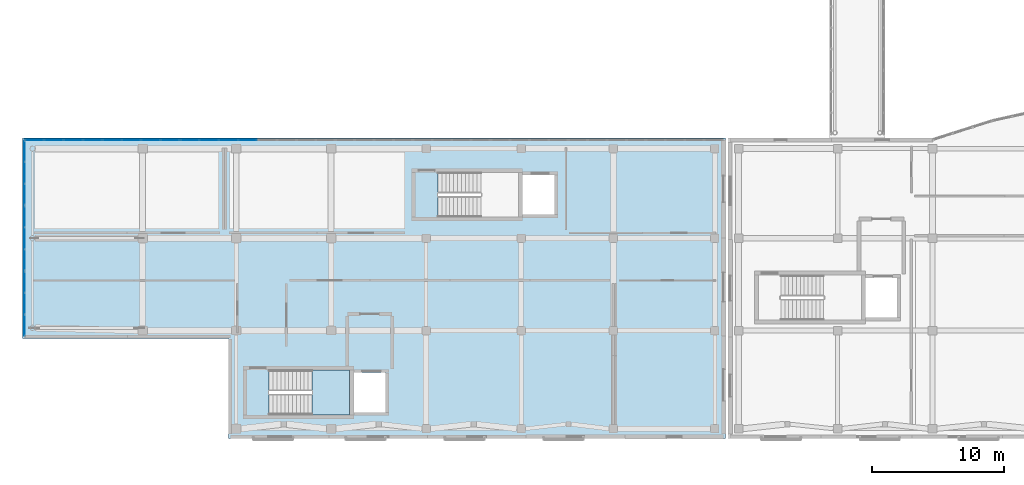
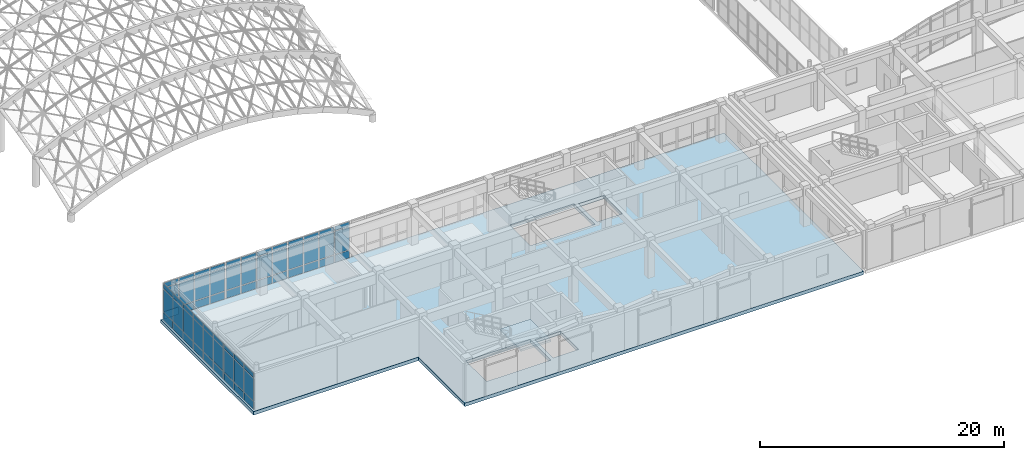
# One storey, part 111 of 146: 63 plates, 2 slabs, 7 elements without a shape of their own.
"""IFC4 building model written with IfcOpenShell, lengths in metres."""

from ifc_helpers import new_model, si_unit, direction, frame, origin, origin_2d, place, context, subcontext, project, spatial, polyline, rectangle, outline, extrude, material, layer, layer_set, type_object, element, aggregate, save


model = new_model("IFC4")

# Units and contexts
model_context = context("Model", 3, precision=1e-05, world=origin(), true_north=direction((0.0, 1.0)))
body_context = subcontext(model_context, "Body", "Model", "MODEL_VIEW")
ifc_project = project(units=[si_unit("LENGTHUNIT", "METRE"), si_unit("AREAUNIT", "SQUARE_METRE"), si_unit("VOLUMEUNIT", "CUBIC_METRE"), si_unit("PLANEANGLEUNIT", "RADIAN"), si_unit("MASSUNIT", "GRAM", prefix="KILO")], contexts=[model_context])

# Site, building, storey
site_placement = place(None, origin())
site = spatial("IfcSite", under=ifc_project, at=site_placement, CompositionType="ELEMENT")
building_placement = place(site_placement, origin())
building = spatial("IfcBuilding", under=site, at=building_placement, Name="Valcora Specialist Clinic", CompositionType="ELEMENT")
storey_placement = place(building_placement, frame((0.0, 0.0, 9.52001953125)))
storey = spatial("IfcBuildingStorey", under=building, at=storey_placement, Name="L02", CompositionType="ELEMENT", Elevation=9.52001953125)

# Curtain wall, plates
ifc_material_1 = material(Name="Anodized Bronze Aluminium 6063-T6", Category="aluminium")
ifc_layer_1 = layer(ifc_material_1, 0.175048828125)
ifc_layer_set_1 = layer_set([ifc_layer_1], Name="Anodized Bronze Aluminium 6063-T6")
curtain_wall_type = type_object("IfcCurtainWallType", Name="TY-CW-V5F15", PredefinedType="NOTDEFINED", material=ifc_layer_set_1)
curtain_wall_1_placement = place(storey_placement, origin())
curtain_wall_1 = element("IfcCurtainWall", 1, at=curtain_wall_1_placement, inside=storey, type_object=curtain_wall_type, Name="Curtain wall CW-L02-140", PredefinedType="NOTDEFINED")
ifc_material_2 = material(Name="Low-E Laminated Insulating Glass", Category="glass")
ifc_layer_2 = layer(ifc_material_2, 0.028076171875)
ifc_layer_set_2 = layer_set([ifc_layer_2], Name="Low-E Laminated Insulating Glass")
plate_type_1 = type_object("IfcPlateType", Name="TY-CWP-GLZ28", PredefinedType="CURTAIN_PANEL", material=ifc_layer_set_2)
plate_1_placement = place(storey_placement, frame((0.14990234375, 8.593994140625, 0.882568359375), z_axis=(0.0, 0.0, 1.0), x_axis=(0.0, 1.0, 0.0)))
plate_1 = element("IfcPlate", 2, at=plate_1_placement, type_object=plate_type_1, Name="CW-V5F-15 panel 1.2", PredefinedType="CURTAIN_PANEL", context=body_context, shape_type="SweptSolid", body=[
    extrude(rectangle(XDim=1.55810546875, YDim=0.028076171875, at=origin_2d()), origin(), (0.0, 0.0, 1.0), 2.27001953125),
])
plate_2_placement = place(storey_placement, frame((0.14990234375, 8.593994140625, 3.2177734375), z_axis=(0.0, 0.0, 1.0), x_axis=(0.0, 1.0, 0.0)))
plate_2 = element("IfcPlate", 3, at=plate_2_placement, type_object=plate_type_1, Name="CW-V5F-15 panel 1.3", PredefinedType="CURTAIN_PANEL", context=body_context, shape_type="SweptSolid", body=[
    extrude(rectangle(XDim=1.55810546875, YDim=0.028076171875, at=origin_2d()), origin(), (0.0, 0.0, 1.0), 0.452392578125),
])
plate_3_placement = place(storey_placement, frame((0.14990234375, 10.2333984375, 0.882568359375), z_axis=(0.0, 0.0, 1.0), x_axis=(0.0, 1.0, 0.0)))
plate_3 = element("IfcPlate", 4, at=plate_3_placement, type_object=plate_type_1, Name="CW-V5F-15 panel 2.2", PredefinedType="CURTAIN_PANEL", context=body_context, shape_type="SweptSolid", body=[
    extrude(rectangle(XDim=1.590576171875, YDim=0.028076171875, at=origin_2d()), origin(), (0.0, 0.0, 1.0), 2.27001953125),
])
plate_4_placement = place(storey_placement, frame((0.14990234375, 10.2333984375, 3.2177734375), z_axis=(0.0, 0.0, 1.0), x_axis=(0.0, 1.0, 0.0)))
plate_4 = element("IfcPlate", 5, at=plate_4_placement, type_object=plate_type_1, Name="CW-V5F-15 panel 2.3", PredefinedType="CURTAIN_PANEL", context=body_context, shape_type="SweptSolid", body=[
    extrude(rectangle(XDim=1.590576171875, YDim=0.028076171875, at=origin_2d()), origin(), (0.0, 0.0, 1.0), 0.452392578125),
])
plate_5_placement = place(storey_placement, frame((0.14990234375, 11.87255859375, 0.882568359375), z_axis=(0.0, 0.0, 1.0), x_axis=(0.0, 1.0, 0.0)))
plate_5 = element("IfcPlate", 6, at=plate_5_placement, type_object=plate_type_1, Name="CW-V5F-15 panel 3.2", PredefinedType="CURTAIN_PANEL", context=body_context, shape_type="SweptSolid", body=[
    extrude(rectangle(XDim=1.55810546875, YDim=0.028076171875, at=origin_2d()), origin(), (0.0, 0.0, 1.0), 2.27001953125),
])
plate_6_placement = place(storey_placement, frame((0.14990234375, 11.87255859375, 3.2177734375), z_axis=(0.0, 0.0, 1.0), x_axis=(0.0, 1.0, 0.0)))
plate_6 = element("IfcPlate", 7, at=plate_6_placement, type_object=plate_type_1, Name="CW-V5F-15 panel 3.3", PredefinedType="CURTAIN_PANEL", context=body_context, shape_type="SweptSolid", body=[
    extrude(rectangle(XDim=1.55810546875, YDim=0.028076171875, at=origin_2d()), origin(), (0.0, 0.0, 1.0), 0.452392578125),
])

curtain_wall_2_placement = place(storey_placement, origin())
curtain_wall_2 = element("IfcCurtainWall", 8, at=curtain_wall_2_placement, inside=storey, type_object=curtain_wall_type, Name="Curtain wall CW-L02-142", PredefinedType="NOTDEFINED")
plate_7_placement = place(storey_placement, frame((0.14990234375, 18.52734375, 0.882568359375), z_axis=(0.0, 0.0, 1.0), x_axis=(0.0, 1.0, 0.0)))
plate_7 = element("IfcPlate", 9, at=plate_7_placement, type_object=plate_type_1, Name="CW-V5F-15 panel 1.2", PredefinedType="CURTAIN_PANEL", context=body_context, shape_type="SweptSolid", body=[
    extrude(rectangle(XDim=1.55810546875, YDim=0.028076171875, at=origin_2d()), origin(), (0.0, 0.0, 1.0), 2.27001953125),
])
plate_8_placement = place(storey_placement, frame((0.14990234375, 18.52734375, 3.2177734375), z_axis=(0.0, 0.0, 1.0), x_axis=(0.0, 1.0, 0.0)))
plate_8 = element("IfcPlate", 10, at=plate_8_placement, type_object=plate_type_1, Name="CW-V5F-15 panel 1.3", PredefinedType="CURTAIN_PANEL", context=body_context, shape_type="SweptSolid", body=[
    extrude(rectangle(XDim=1.55810546875, YDim=0.028076171875, at=origin_2d()), origin(), (0.0, 0.0, 1.0), 0.452392578125),
])
plate_9_placement = place(storey_placement, frame((0.14990234375, 20.166748046875, 0.882568359375), z_axis=(0.0, 0.0, 1.0), x_axis=(0.0, 1.0, 0.0)))
plate_9 = element("IfcPlate", 11, at=plate_9_placement, type_object=plate_type_1, Name="CW-V5F-15 panel 2.2", PredefinedType="CURTAIN_PANEL", context=body_context, shape_type="SweptSolid", body=[
    extrude(rectangle(XDim=1.590576171875, YDim=0.028076171875, at=origin_2d()), origin(), (0.0, 0.0, 1.0), 2.27001953125),
])
plate_10_placement = place(storey_placement, frame((0.14990234375, 20.166748046875, 3.2177734375), z_axis=(0.0, 0.0, 1.0), x_axis=(0.0, 1.0, 0.0)))
plate_10 = element("IfcPlate", 12, at=plate_10_placement, type_object=plate_type_1, Name="CW-V5F-15 panel 2.3", PredefinedType="CURTAIN_PANEL", context=body_context, shape_type="SweptSolid", body=[
    extrude(rectangle(XDim=1.590576171875, YDim=0.028076171875, at=origin_2d()), origin(), (0.0, 0.0, 1.0), 0.452392578125),
])
plate_11_placement = place(storey_placement, frame((0.14990234375, 21.805908203125, 0.882568359375), z_axis=(0.0, 0.0, 1.0), x_axis=(0.0, 1.0, 0.0)))
plate_11 = element("IfcPlate", 13, at=plate_11_placement, type_object=plate_type_1, Name="CW-V5F-15 panel 3.2", PredefinedType="CURTAIN_PANEL", context=body_context, shape_type="SweptSolid", body=[
    extrude(rectangle(XDim=1.55810546875, YDim=0.028076171875, at=origin_2d()), origin(), (0.0, 0.0, 1.0), 2.27001953125),
])
plate_12_placement = place(storey_placement, frame((0.14990234375, 21.805908203125, 3.2177734375), z_axis=(0.0, 0.0, 1.0), x_axis=(0.0, 1.0, 0.0)))
plate_12 = element("IfcPlate", 14, at=plate_12_placement, type_object=plate_type_1, Name="CW-V5F-15 panel 3.3", PredefinedType="CURTAIN_PANEL", context=body_context, shape_type="SweptSolid", body=[
    extrude(rectangle(XDim=1.55810546875, YDim=0.028076171875, at=origin_2d()), origin(), (0.0, 0.0, 1.0), 0.452392578125),
])

curtain_wall_3_placement = place(storey_placement, origin())
curtain_wall_3 = element("IfcCurtainWall", 15, at=curtain_wall_3_placement, inside=storey, type_object=curtain_wall_type, Name="Curtain wall CW-L02-144", PredefinedType="NOTDEFINED")
plate_13_placement = place(storey_placement, frame((6.791259765625, 22.64990234375, 0.882568359375), z_axis=(0.0, 0.0, 1.0), x_axis=(1.0, 0.0, 0.0)))
plate_13 = element("IfcPlate", 16, at=plate_13_placement, type_object=plate_type_1, Name="CW-V5F-15 panel 1.2", PredefinedType="CURTAIN_PANEL", context=body_context, shape_type="SweptSolid", body=[
    extrude(rectangle(XDim=1.374755859375, YDim=0.028076171875, at=origin_2d()), origin(), (0.0, 0.0, 1.0), 2.27001953125),
])
plate_14_placement = place(storey_placement, frame((6.791259765625, 22.64990234375, 3.2177734375), z_axis=(0.0, 0.0, 1.0), x_axis=(1.0, 0.0, 0.0)))
plate_14 = element("IfcPlate", 17, at=plate_14_placement, type_object=plate_type_1, Name="CW-V5F-15 panel 1.3", PredefinedType="CURTAIN_PANEL", context=body_context, shape_type="SweptSolid", body=[
    extrude(rectangle(XDim=1.374755859375, YDim=0.028076171875, at=origin_2d()), origin(), (0.0, 0.0, 1.0), 0.452392578125),
])
plate_15_placement = place(storey_placement, frame((8.247314453125, 22.64990234375, 0.882568359375), z_axis=(0.0, 0.0, 1.0), x_axis=(1.0, 0.0, 0.0)))
plate_15 = element("IfcPlate", 18, at=plate_15_placement, type_object=plate_type_1, Name="CW-V5F-15 panel 2.2", PredefinedType="CURTAIN_PANEL", context=body_context, shape_type="SweptSolid", body=[
    extrude(rectangle(XDim=1.4072265625, YDim=0.028076171875, at=origin_2d()), origin(), (0.0, 0.0, 1.0), 2.27001953125),
])
plate_16_placement = place(storey_placement, frame((8.247314453125, 22.64990234375, 3.2177734375), z_axis=(0.0, 0.0, 1.0), x_axis=(1.0, 0.0, 0.0)))
plate_16 = element("IfcPlate", 19, at=plate_16_placement, type_object=plate_type_1, Name="CW-V5F-15 panel 2.3", PredefinedType="CURTAIN_PANEL", context=body_context, shape_type="SweptSolid", body=[
    extrude(rectangle(XDim=1.4072265625, YDim=0.028076171875, at=origin_2d()), origin(), (0.0, 0.0, 1.0), 0.452392578125),
])
plate_17_placement = place(storey_placement, frame((9.719482421875, 22.64990234375, 0.882568359375), z_axis=(0.0, 0.0, 1.0), x_axis=(1.0, 0.0, 0.0)))
plate_17 = element("IfcPlate", 20, at=plate_17_placement, type_object=plate_type_1, Name="CW-V5F-15 panel 3.2", PredefinedType="CURTAIN_PANEL", context=body_context, shape_type="SweptSolid", body=[
    extrude(rectangle(XDim=1.4072265625, YDim=0.028076171875, at=origin_2d()), origin(), (0.0, 0.0, 1.0), 2.27001953125),
])
plate_18_placement = place(storey_placement, frame((9.719482421875, 22.64990234375, 3.2177734375), z_axis=(0.0, 0.0, 1.0), x_axis=(1.0, 0.0, 0.0)))
plate_18 = element("IfcPlate", 21, at=plate_18_placement, type_object=plate_type_1, Name="CW-V5F-15 panel 3.3", PredefinedType="CURTAIN_PANEL", context=body_context, shape_type="SweptSolid", body=[
    extrude(rectangle(XDim=1.4072265625, YDim=0.028076171875, at=origin_2d()), origin(), (0.0, 0.0, 1.0), 0.452392578125),
])
plate_19_placement = place(storey_placement, frame((11.175537109375, 22.64990234375, 0.882568359375), z_axis=(0.0, 0.0, 1.0), x_axis=(1.0, 0.0, 0.0)))
plate_19 = element("IfcPlate", 22, at=plate_19_placement, type_object=plate_type_1, Name="CW-V5F-15 panel 4.2", PredefinedType="CURTAIN_PANEL", context=body_context, shape_type="SweptSolid", body=[
    extrude(rectangle(XDim=1.374755859375, YDim=0.028076171875, at=origin_2d()), origin(), (0.0, 0.0, 1.0), 2.27001953125),
])
plate_20_placement = place(storey_placement, frame((11.175537109375, 22.64990234375, 3.2177734375), z_axis=(0.0, 0.0, 1.0), x_axis=(1.0, 0.0, 0.0)))
plate_20 = element("IfcPlate", 23, at=plate_20_placement, type_object=plate_type_1, Name="CW-V5F-15 panel 4.3", PredefinedType="CURTAIN_PANEL", context=body_context, shape_type="SweptSolid", body=[
    extrude(rectangle(XDim=1.374755859375, YDim=0.028076171875, at=origin_2d()), origin(), (0.0, 0.0, 1.0), 0.452392578125),
])

curtain_wall_4_placement = place(storey_placement, origin())
curtain_wall_4 = element("IfcCurtainWall", 24, at=curtain_wall_4_placement, inside=storey, type_object=curtain_wall_type, Name="Curtain wall CW-L02-141", PredefinedType="NOTDEFINED")
ifc_layer_3 = layer(ifc_material_2, 0.033935546875)
ifc_layer_set_3 = layer_set([ifc_layer_3], Name="Low-E Laminated Insulating Glass")
plate_type_2 = type_object("IfcPlateType", Name="TY-CWP-GLZ34", PredefinedType="CURTAIN_PANEL", material=ifc_layer_set_3)
plate_21_placement = place(storey_placement, frame((0.14990234375, 13.560791015625, 0.882568359375), z_axis=(0.0, 0.0, 1.0), x_axis=(0.0, 1.0, 0.0)))
plate_21 = element("IfcPlate", 25, at=plate_21_placement, type_object=plate_type_2, Name="CW-V5F-15 panel 1.2", PredefinedType="CURTAIN_PANEL", context=body_context, shape_type="SweptSolid", body=[
    extrude(rectangle(XDim=1.55810546875, YDim=0.033935546875, at=origin_2d()), origin(), (0.0, 0.0, 1.0), 2.27001953125),
])
plate_22_placement = place(storey_placement, frame((0.14990234375, 13.560791015625, 3.2177734375), z_axis=(0.0, 0.0, 1.0), x_axis=(0.0, 1.0, 0.0)))
plate_22 = element("IfcPlate", 26, at=plate_22_placement, type_object=plate_type_2, Name="CW-V5F-15 panel 1.3", PredefinedType="CURTAIN_PANEL", context=body_context, shape_type="SweptSolid", body=[
    extrude(rectangle(XDim=1.55810546875, YDim=0.033935546875, at=origin_2d()), origin(), (0.0, 0.0, 1.0), 0.452392578125),
])
plate_23_placement = place(storey_placement, frame((0.14990234375, 15.199951171875, 0.882568359375), z_axis=(0.0, 0.0, 1.0), x_axis=(0.0, 1.0, 0.0)))
plate_23 = element("IfcPlate", 27, at=plate_23_placement, type_object=plate_type_2, Name="CW-V5F-15 panel 2.2", PredefinedType="CURTAIN_PANEL", context=body_context, shape_type="SweptSolid", body=[
    extrude(rectangle(XDim=1.590576171875, YDim=0.033935546875, at=origin_2d()), origin(), (0.0, 0.0, 1.0), 2.27001953125),
])
plate_24_placement = place(storey_placement, frame((0.14990234375, 15.199951171875, 3.2177734375), z_axis=(0.0, 0.0, 1.0), x_axis=(0.0, 1.0, 0.0)))
plate_24 = element("IfcPlate", 28, at=plate_24_placement, type_object=plate_type_2, Name="CW-V5F-15 panel 2.3", PredefinedType="CURTAIN_PANEL", context=body_context, shape_type="SweptSolid", body=[
    extrude(rectangle(XDim=1.590576171875, YDim=0.033935546875, at=origin_2d()), origin(), (0.0, 0.0, 1.0), 0.452392578125),
])
plate_25_placement = place(storey_placement, frame((0.14990234375, 16.83935546875, 0.882568359375), z_axis=(0.0, 0.0, 1.0), x_axis=(0.0, 1.0, 0.0)))
plate_25 = element("IfcPlate", 29, at=plate_25_placement, type_object=plate_type_2, Name="CW-V5F-15 panel 3.2", PredefinedType="CURTAIN_PANEL", context=body_context, shape_type="SweptSolid", body=[
    extrude(rectangle(XDim=1.55810546875, YDim=0.033935546875, at=origin_2d()), origin(), (0.0, 0.0, 1.0), 2.27001953125),
])
plate_26_placement = place(storey_placement, frame((0.14990234375, 16.83935546875, 3.2177734375), z_axis=(0.0, 0.0, 1.0), x_axis=(0.0, 1.0, 0.0)))
plate_26 = element("IfcPlate", 30, at=plate_26_placement, type_object=plate_type_2, Name="CW-V5F-15 panel 3.3", PredefinedType="CURTAIN_PANEL", context=body_context, shape_type="SweptSolid", body=[
    extrude(rectangle(XDim=1.55810546875, YDim=0.033935546875, at=origin_2d()), origin(), (0.0, 0.0, 1.0), 0.452392578125),
])

curtain_wall_5_placement = place(storey_placement, origin())
curtain_wall_5 = element("IfcCurtainWall", 31, at=curtain_wall_5_placement, inside=storey, type_object=curtain_wall_type, Name="Curtain wall CW-L02-143", PredefinedType="NOTDEFINED")
plate_27_placement = place(storey_placement, frame((0.90234375, 22.64990234375, 0.882568359375), z_axis=(0.0, 0.0, 1.0), x_axis=(1.0, 0.0, 0.0)))
plate_27 = element("IfcPlate", 32, at=plate_27_placement, type_object=plate_type_2, Name="CW-V5F-15 panel 1.2", PredefinedType="CURTAIN_PANEL", context=body_context, shape_type="SweptSolid", body=[
    extrude(rectangle(XDim=1.374755859375, YDim=0.033935546875, at=origin_2d()), origin(), (0.0, 0.0, 1.0), 2.27001953125),
])
plate_28_placement = place(storey_placement, frame((0.90234375, 22.64990234375, 3.2177734375), z_axis=(0.0, 0.0, 1.0), x_axis=(1.0, 0.0, 0.0)))
plate_28 = element("IfcPlate", 33, at=plate_28_placement, type_object=plate_type_2, Name="CW-V5F-15 panel 1.3", PredefinedType="CURTAIN_PANEL", context=body_context, shape_type="SweptSolid", body=[
    extrude(rectangle(XDim=1.374755859375, YDim=0.033935546875, at=origin_2d()), origin(), (0.0, 0.0, 1.0), 0.452392578125),
])
plate_29_placement = place(storey_placement, frame((2.3583984375, 22.64990234375, 0.882568359375), z_axis=(0.0, 0.0, 1.0), x_axis=(1.0, 0.0, 0.0)))
plate_29 = element("IfcPlate", 34, at=plate_29_placement, type_object=plate_type_2, Name="CW-V5F-15 panel 2.2", PredefinedType="CURTAIN_PANEL", context=body_context, shape_type="SweptSolid", body=[
    extrude(rectangle(XDim=1.4072265625, YDim=0.033935546875, at=origin_2d()), origin(), (0.0, 0.0, 1.0), 2.27001953125),
])
plate_30_placement = place(storey_placement, frame((2.3583984375, 22.64990234375, 3.2177734375), z_axis=(0.0, 0.0, 1.0), x_axis=(1.0, 0.0, 0.0)))
plate_30 = element("IfcPlate", 35, at=plate_30_placement, type_object=plate_type_2, Name="CW-V5F-15 panel 2.3", PredefinedType="CURTAIN_PANEL", context=body_context, shape_type="SweptSolid", body=[
    extrude(rectangle(XDim=1.4072265625, YDim=0.033935546875, at=origin_2d()), origin(), (0.0, 0.0, 1.0), 0.452392578125),
])
plate_31_placement = place(storey_placement, frame((3.83056640625, 22.64990234375, 0.882568359375), z_axis=(0.0, 0.0, 1.0), x_axis=(1.0, 0.0, 0.0)))
plate_31 = element("IfcPlate", 36, at=plate_31_placement, type_object=plate_type_2, Name="CW-V5F-15 panel 3.2", PredefinedType="CURTAIN_PANEL", context=body_context, shape_type="SweptSolid", body=[
    extrude(rectangle(XDim=1.4072265625, YDim=0.033935546875, at=origin_2d()), origin(), (0.0, 0.0, 1.0), 2.27001953125),
])
plate_32_placement = place(storey_placement, frame((3.83056640625, 22.64990234375, 3.2177734375), z_axis=(0.0, 0.0, 1.0), x_axis=(1.0, 0.0, 0.0)))
plate_32 = element("IfcPlate", 37, at=plate_32_placement, type_object=plate_type_2, Name="CW-V5F-15 panel 3.3", PredefinedType="CURTAIN_PANEL", context=body_context, shape_type="SweptSolid", body=[
    extrude(rectangle(XDim=1.4072265625, YDim=0.033935546875, at=origin_2d()), origin(), (0.0, 0.0, 1.0), 0.452392578125),
])
plate_33_placement = place(storey_placement, frame((5.28662109375, 22.64990234375, 0.882568359375), z_axis=(0.0, 0.0, 1.0), x_axis=(1.0, 0.0, 0.0)))
plate_33 = element("IfcPlate", 38, at=plate_33_placement, type_object=plate_type_2, Name="CW-V5F-15 panel 4.2", PredefinedType="CURTAIN_PANEL", context=body_context, shape_type="SweptSolid", body=[
    extrude(rectangle(XDim=1.374755859375, YDim=0.033935546875, at=origin_2d()), origin(), (0.0, 0.0, 1.0), 2.27001953125),
])
plate_34_placement = place(storey_placement, frame((5.28662109375, 22.64990234375, 3.2177734375), z_axis=(0.0, 0.0, 1.0), x_axis=(1.0, 0.0, 0.0)))
plate_34 = element("IfcPlate", 39, at=plate_34_placement, type_object=plate_type_2, Name="CW-V5F-15 panel 4.3", PredefinedType="CURTAIN_PANEL", context=body_context, shape_type="SweptSolid", body=[
    extrude(rectangle(XDim=1.374755859375, YDim=0.033935546875, at=origin_2d()), origin(), (0.0, 0.0, 1.0), 0.452392578125),
])

curtain_wall_6_placement = place(storey_placement, origin())
curtain_wall_6 = element("IfcCurtainWall", 40, at=curtain_wall_6_placement, inside=storey, type_object=curtain_wall_type, Name="Curtain wall CW-L02-145", PredefinedType="NOTDEFINED")
plate_35_placement = place(storey_placement, frame((12.68017578125, 22.64990234375, 0.882568359375), z_axis=(0.0, 0.0, 1.0), x_axis=(1.0, 0.0, 0.0)))
plate_35 = element("IfcPlate", 41, at=plate_35_placement, type_object=plate_type_2, Name="CW-V5F-15 panel 1.2", PredefinedType="CURTAIN_PANEL", context=body_context, shape_type="SweptSolid", body=[
    extrude(rectangle(XDim=1.374755859375, YDim=0.033935546875, at=origin_2d()), origin(), (0.0, 0.0, 1.0), 2.27001953125),
])
plate_36_placement = place(storey_placement, frame((12.68017578125, 22.64990234375, 3.2177734375), z_axis=(0.0, 0.0, 1.0), x_axis=(1.0, 0.0, 0.0)))
plate_36 = element("IfcPlate", 42, at=plate_36_placement, type_object=plate_type_2, Name="CW-V5F-15 panel 1.3", PredefinedType="CURTAIN_PANEL", context=body_context, shape_type="SweptSolid", body=[
    extrude(rectangle(XDim=1.374755859375, YDim=0.033935546875, at=origin_2d()), origin(), (0.0, 0.0, 1.0), 0.452392578125),
])
plate_37_placement = place(storey_placement, frame((14.13623046875, 22.64990234375, 0.882568359375), z_axis=(0.0, 0.0, 1.0), x_axis=(1.0, 0.0, 0.0)))
plate_37 = element("IfcPlate", 43, at=plate_37_placement, type_object=plate_type_2, Name="CW-V5F-15 panel 2.2", PredefinedType="CURTAIN_PANEL", context=body_context, shape_type="SweptSolid", body=[
    extrude(rectangle(XDim=1.4072265625, YDim=0.033935546875, at=origin_2d()), origin(), (0.0, 0.0, 1.0), 2.27001953125),
])
plate_38_placement = place(storey_placement, frame((14.13623046875, 22.64990234375, 3.2177734375), z_axis=(0.0, 0.0, 1.0), x_axis=(1.0, 0.0, 0.0)))
plate_38 = element("IfcPlate", 44, at=plate_38_placement, type_object=plate_type_2, Name="CW-V5F-15 panel 2.3", PredefinedType="CURTAIN_PANEL", context=body_context, shape_type="SweptSolid", body=[
    extrude(rectangle(XDim=1.4072265625, YDim=0.033935546875, at=origin_2d()), origin(), (0.0, 0.0, 1.0), 0.452392578125),
])
plate_39_placement = place(storey_placement, frame((15.6083984375, 22.64990234375, 0.882568359375), z_axis=(0.0, 0.0, 1.0), x_axis=(1.0, 0.0, 0.0)))
plate_39 = element("IfcPlate", 45, at=plate_39_placement, type_object=plate_type_2, Name="CW-V5F-15 panel 3.2", PredefinedType="CURTAIN_PANEL", context=body_context, shape_type="SweptSolid", body=[
    extrude(rectangle(XDim=1.4072265625, YDim=0.033935546875, at=origin_2d()), origin(), (0.0, 0.0, 1.0), 2.27001953125),
])
plate_40_placement = place(storey_placement, frame((15.6083984375, 22.64990234375, 3.2177734375), z_axis=(0.0, 0.0, 1.0), x_axis=(1.0, 0.0, 0.0)))
plate_40 = element("IfcPlate", 46, at=plate_40_placement, type_object=plate_type_2, Name="CW-V5F-15 panel 3.3", PredefinedType="CURTAIN_PANEL", context=body_context, shape_type="SweptSolid", body=[
    extrude(rectangle(XDim=1.4072265625, YDim=0.033935546875, at=origin_2d()), origin(), (0.0, 0.0, 1.0), 0.452392578125),
])
plate_41_placement = place(storey_placement, frame((17.064453125, 22.64990234375, 0.882568359375), z_axis=(0.0, 0.0, 1.0), x_axis=(1.0, 0.0, 0.0)))
plate_41 = element("IfcPlate", 47, at=plate_41_placement, type_object=plate_type_2, Name="CW-V5F-15 panel 4.2", PredefinedType="CURTAIN_PANEL", context=body_context, shape_type="SweptSolid", body=[
    extrude(rectangle(XDim=1.374755859375, YDim=0.033935546875, at=origin_2d()), origin(), (0.0, 0.0, 1.0), 2.27001953125),
])
plate_42_placement = place(storey_placement, frame((17.064453125, 22.64990234375, 3.2177734375), z_axis=(0.0, 0.0, 1.0), x_axis=(1.0, 0.0, 0.0)))
plate_42 = element("IfcPlate", 48, at=plate_42_placement, type_object=plate_type_2, Name="CW-V5F-15 panel 4.3", PredefinedType="CURTAIN_PANEL", context=body_context, shape_type="SweptSolid", body=[
    extrude(rectangle(XDim=1.374755859375, YDim=0.033935546875, at=origin_2d()), origin(), (0.0, 0.0, 1.0), 0.452392578125),
])

# Plate
ifc_material_3 = material(Name="Insulated Spandrel Panel")
ifc_layer_4 = layer(ifc_material_3, 0.044921875)
ifc_layer_set_4 = layer_set([ifc_layer_4], Name="Insulated Spandrel Panel")
plate_type_3 = type_object("IfcPlateType", Name="TY-CWP-SPN45", PredefinedType="SHEET", material=ifc_layer_set_4)
plate_43_placement = place(storey_placement, frame((0.14990234375, 8.593994140625, 0.06494140625), z_axis=(0.0, 0.0, 1.0), x_axis=(0.0, 1.0, 0.0)))
plate_43 = element("IfcPlate", 49, at=plate_43_placement, type_object=plate_type_3, Name="CW-V5F-15 panel 1.1", PredefinedType="SHEET", context=body_context, shape_type="SweptSolid", body=[
    extrude(rectangle(XDim=1.55810546875, YDim=0.044921875, at=origin_2d()), origin(), (0.0, 0.0, 1.0), 0.75244140625),
])

plate_44_placement = place(storey_placement, frame((0.14990234375, 10.2333984375, 0.06494140625), z_axis=(0.0, 0.0, 1.0), x_axis=(0.0, 1.0, 0.0)))
plate_44 = element("IfcPlate", 50, at=plate_44_placement, type_object=plate_type_3, Name="CW-V5F-15 panel 2.1", PredefinedType="SHEET", context=body_context, shape_type="SweptSolid", body=[
    extrude(rectangle(XDim=1.590576171875, YDim=0.044921875, at=origin_2d()), origin(), (0.0, 0.0, 1.0), 0.75244140625),
])

plate_45_placement = place(storey_placement, frame((0.14990234375, 11.87255859375, 0.06494140625), z_axis=(0.0, 0.0, 1.0), x_axis=(0.0, 1.0, 0.0)))
plate_45 = element("IfcPlate", 51, at=plate_45_placement, type_object=plate_type_3, Name="CW-V5F-15 panel 3.1", PredefinedType="SHEET", context=body_context, shape_type="SweptSolid", body=[
    extrude(rectangle(XDim=1.55810546875, YDim=0.044921875, at=origin_2d()), origin(), (0.0, 0.0, 1.0), 0.75244140625),
])

aggregate(curtain_wall_1, [plate_43, plate_1, plate_2, plate_44, plate_3, plate_4, plate_45, plate_5, plate_6])

plate_46_placement = place(storey_placement, frame((0.14990234375, 13.560791015625, 0.06494140625), z_axis=(0.0, 0.0, 1.0), x_axis=(0.0, 1.0, 0.0)))
plate_46 = element("IfcPlate", 52, at=plate_46_placement, type_object=plate_type_3, Name="CW-V5F-15 panel 1.1", PredefinedType="SHEET", context=body_context, shape_type="SweptSolid", body=[
    extrude(rectangle(XDim=1.55810546875, YDim=0.044921875, at=origin_2d()), origin(), (0.0, 0.0, 1.0), 0.75244140625),
])

plate_47_placement = place(storey_placement, frame((0.14990234375, 15.199951171875, 0.06494140625), z_axis=(0.0, 0.0, 1.0), x_axis=(0.0, 1.0, 0.0)))
plate_47 = element("IfcPlate", 53, at=plate_47_placement, type_object=plate_type_3, Name="CW-V5F-15 panel 2.1", PredefinedType="SHEET", context=body_context, shape_type="SweptSolid", body=[
    extrude(rectangle(XDim=1.590576171875, YDim=0.044921875, at=origin_2d()), origin(), (0.0, 0.0, 1.0), 0.75244140625),
])

plate_48_placement = place(storey_placement, frame((0.14990234375, 16.83935546875, 0.06494140625), z_axis=(0.0, 0.0, 1.0), x_axis=(0.0, 1.0, 0.0)))
plate_48 = element("IfcPlate", 54, at=plate_48_placement, type_object=plate_type_3, Name="CW-V5F-15 panel 3.1", PredefinedType="SHEET", context=body_context, shape_type="SweptSolid", body=[
    extrude(rectangle(XDim=1.55810546875, YDim=0.044921875, at=origin_2d()), origin(), (0.0, 0.0, 1.0), 0.75244140625),
])

aggregate(curtain_wall_4, [plate_46, plate_21, plate_22, plate_47, plate_23, plate_24, plate_48, plate_25, plate_26])

plate_49_placement = place(storey_placement, frame((0.14990234375, 18.52734375, 0.06494140625), z_axis=(0.0, 0.0, 1.0), x_axis=(0.0, 1.0, 0.0)))
plate_49 = element("IfcPlate", 55, at=plate_49_placement, type_object=plate_type_3, Name="CW-V5F-15 panel 1.1", PredefinedType="SHEET", context=body_context, shape_type="SweptSolid", body=[
    extrude(rectangle(XDim=1.55810546875, YDim=0.044921875, at=origin_2d()), origin(), (0.0, 0.0, 1.0), 0.75244140625),
])

plate_50_placement = place(storey_placement, frame((0.14990234375, 20.166748046875, 0.06494140625), z_axis=(0.0, 0.0, 1.0), x_axis=(0.0, 1.0, 0.0)))
plate_50 = element("IfcPlate", 56, at=plate_50_placement, type_object=plate_type_3, Name="CW-V5F-15 panel 2.1", PredefinedType="SHEET", context=body_context, shape_type="SweptSolid", body=[
    extrude(rectangle(XDim=1.590576171875, YDim=0.044921875, at=origin_2d()), origin(), (0.0, 0.0, 1.0), 0.75244140625),
])

plate_51_placement = place(storey_placement, frame((0.14990234375, 21.805908203125, 0.06494140625), z_axis=(0.0, 0.0, 1.0), x_axis=(0.0, 1.0, 0.0)))
plate_51 = element("IfcPlate", 57, at=plate_51_placement, type_object=plate_type_3, Name="CW-V5F-15 panel 3.1", PredefinedType="SHEET", context=body_context, shape_type="SweptSolid", body=[
    extrude(rectangle(XDim=1.55810546875, YDim=0.044921875, at=origin_2d()), origin(), (0.0, 0.0, 1.0), 0.75244140625),
])

aggregate(curtain_wall_2, [plate_49, plate_7, plate_8, plate_50, plate_9, plate_10, plate_51, plate_11, plate_12])

plate_52_placement = place(storey_placement, frame((0.90234375, 22.64990234375, 0.06494140625), z_axis=(0.0, 0.0, 1.0), x_axis=(1.0, 0.0, 0.0)))
plate_52 = element("IfcPlate", 58, at=plate_52_placement, type_object=plate_type_3, Name="CW-V5F-15 panel 1.1", PredefinedType="SHEET", context=body_context, shape_type="SweptSolid", body=[
    extrude(rectangle(XDim=1.374755859375, YDim=0.044921875, at=origin_2d()), origin(), (0.0, 0.0, 1.0), 0.75244140625),
])

plate_53_placement = place(storey_placement, frame((2.3583984375, 22.64990234375, 0.06494140625), z_axis=(0.0, 0.0, 1.0), x_axis=(1.0, 0.0, 0.0)))
plate_53 = element("IfcPlate", 59, at=plate_53_placement, type_object=plate_type_3, Name="CW-V5F-15 panel 2.1", PredefinedType="SHEET", context=body_context, shape_type="SweptSolid", body=[
    extrude(rectangle(XDim=1.4072265625, YDim=0.044921875, at=origin_2d()), origin(), (0.0, 0.0, 1.0), 0.75244140625),
])

plate_54_placement = place(storey_placement, frame((3.83056640625, 22.64990234375, 0.06494140625), z_axis=(0.0, 0.0, 1.0), x_axis=(1.0, 0.0, 0.0)))
plate_54 = element("IfcPlate", 60, at=plate_54_placement, type_object=plate_type_3, Name="CW-V5F-15 panel 3.1", PredefinedType="SHEET", context=body_context, shape_type="SweptSolid", body=[
    extrude(rectangle(XDim=1.4072265625, YDim=0.044921875, at=origin_2d()), origin(), (0.0, 0.0, 1.0), 0.75244140625),
])

plate_55_placement = place(storey_placement, frame((5.28662109375, 22.64990234375, 0.06494140625), z_axis=(0.0, 0.0, 1.0), x_axis=(1.0, 0.0, 0.0)))
plate_55 = element("IfcPlate", 61, at=plate_55_placement, type_object=plate_type_3, Name="CW-V5F-15 panel 4.1", PredefinedType="SHEET", context=body_context, shape_type="SweptSolid", body=[
    extrude(rectangle(XDim=1.374755859375, YDim=0.044921875, at=origin_2d()), origin(), (0.0, 0.0, 1.0), 0.75244140625),
])

aggregate(curtain_wall_5, [plate_52, plate_27, plate_28, plate_53, plate_29, plate_30, plate_54, plate_31, plate_32, plate_55, plate_33, plate_34])

plate_56_placement = place(storey_placement, frame((6.791259765625, 22.64990234375, 0.06494140625), z_axis=(0.0, 0.0, 1.0), x_axis=(1.0, 0.0, 0.0)))
plate_56 = element("IfcPlate", 62, at=plate_56_placement, type_object=plate_type_3, Name="CW-V5F-15 panel 1.1", PredefinedType="SHEET", context=body_context, shape_type="SweptSolid", body=[
    extrude(rectangle(XDim=1.374755859375, YDim=0.044921875, at=origin_2d()), origin(), (0.0, 0.0, 1.0), 0.75244140625),
])

plate_57_placement = place(storey_placement, frame((8.247314453125, 22.64990234375, 0.06494140625), z_axis=(0.0, 0.0, 1.0), x_axis=(1.0, 0.0, 0.0)))
plate_57 = element("IfcPlate", 63, at=plate_57_placement, type_object=plate_type_3, Name="CW-V5F-15 panel 2.1", PredefinedType="SHEET", context=body_context, shape_type="SweptSolid", body=[
    extrude(rectangle(XDim=1.4072265625, YDim=0.044921875, at=origin_2d()), origin(), (0.0, 0.0, 1.0), 0.75244140625),
])

plate_58_placement = place(storey_placement, frame((9.719482421875, 22.64990234375, 0.06494140625), z_axis=(0.0, 0.0, 1.0), x_axis=(1.0, 0.0, 0.0)))
plate_58 = element("IfcPlate", 64, at=plate_58_placement, type_object=plate_type_3, Name="CW-V5F-15 panel 3.1", PredefinedType="SHEET", context=body_context, shape_type="SweptSolid", body=[
    extrude(rectangle(XDim=1.4072265625, YDim=0.044921875, at=origin_2d()), origin(), (0.0, 0.0, 1.0), 0.75244140625),
])

plate_59_placement = place(storey_placement, frame((11.175537109375, 22.64990234375, 0.06494140625), z_axis=(0.0, 0.0, 1.0), x_axis=(1.0, 0.0, 0.0)))
plate_59 = element("IfcPlate", 65, at=plate_59_placement, type_object=plate_type_3, Name="CW-V5F-15 panel 4.1", PredefinedType="SHEET", context=body_context, shape_type="SweptSolid", body=[
    extrude(rectangle(XDim=1.374755859375, YDim=0.044921875, at=origin_2d()), origin(), (0.0, 0.0, 1.0), 0.75244140625),
])

aggregate(curtain_wall_3, [plate_56, plate_13, plate_14, plate_57, plate_15, plate_16, plate_58, plate_17, plate_18, plate_59, plate_19, plate_20])

plate_60_placement = place(storey_placement, frame((12.68017578125, 22.64990234375, 0.06494140625), z_axis=(0.0, 0.0, 1.0), x_axis=(1.0, 0.0, 0.0)))
plate_60 = element("IfcPlate", 66, at=plate_60_placement, type_object=plate_type_3, Name="CW-V5F-15 panel 1.1", PredefinedType="SHEET", context=body_context, shape_type="SweptSolid", body=[
    extrude(rectangle(XDim=1.374755859375, YDim=0.044921875, at=origin_2d()), origin(), (0.0, 0.0, 1.0), 0.75244140625),
])

plate_61_placement = place(storey_placement, frame((14.13623046875, 22.64990234375, 0.06494140625), z_axis=(0.0, 0.0, 1.0), x_axis=(1.0, 0.0, 0.0)))
plate_61 = element("IfcPlate", 67, at=plate_61_placement, type_object=plate_type_3, Name="CW-V5F-15 panel 2.1", PredefinedType="SHEET", context=body_context, shape_type="SweptSolid", body=[
    extrude(rectangle(XDim=1.4072265625, YDim=0.044921875, at=origin_2d()), origin(), (0.0, 0.0, 1.0), 0.75244140625),
])

plate_62_placement = place(storey_placement, frame((15.6083984375, 22.64990234375, 0.06494140625), z_axis=(0.0, 0.0, 1.0), x_axis=(1.0, 0.0, 0.0)))
plate_62 = element("IfcPlate", 68, at=plate_62_placement, type_object=plate_type_3, Name="CW-V5F-15 panel 3.1", PredefinedType="SHEET", context=body_context, shape_type="SweptSolid", body=[
    extrude(rectangle(XDim=1.4072265625, YDim=0.044921875, at=origin_2d()), origin(), (0.0, 0.0, 1.0), 0.75244140625),
])

plate_63_placement = place(storey_placement, frame((17.064453125, 22.64990234375, 0.06494140625), z_axis=(0.0, 0.0, 1.0), x_axis=(1.0, 0.0, 0.0)))
plate_63 = element("IfcPlate", 69, at=plate_63_placement, type_object=plate_type_3, Name="CW-V5F-15 panel 4.1", PredefinedType="SHEET", context=body_context, shape_type="SweptSolid", body=[
    extrude(rectangle(XDim=1.374755859375, YDim=0.044921875, at=origin_2d()), origin(), (0.0, 0.0, 1.0), 0.75244140625),
])

aggregate(curtain_wall_6, [plate_60, plate_35, plate_36, plate_61, plate_37, plate_38, plate_62, plate_39, plate_40, plate_63, plate_41, plate_42])

# Slab
ifc_material_4 = material(Name="Concrete C40/50", Category="concrete")
ifc_layer_5 = layer(ifc_material_4, 0.344970703125)
ifc_layer_set_5 = layer_set([ifc_layer_5], Name="Concrete C40/50")
slab_type_1 = type_object("IfcSlabType", Name="TY-SL-FLR345", PredefinedType="FLOOR", material=ifc_layer_set_5)
slab_1_placement = place(storey_placement, frame((0.0, 0.0, -0.344970703125)))
element("IfcSlab", 70, at=slab_1_placement, inside=storey, type_object=slab_type_1, Name="V5 L02 structural slab SL-L02-016", PredefinedType="FLOOR", context=body_context, shape_type="SweptSolid", body=[
    extrude(outline(polyline([(15.60009765625, 0.0), (53.300048828125, 0.0), (53.300048828125, 22.800048828125), (0.0, 22.800048828125), (0.0, 7.60009765625), (15.60009765625, 7.60009765625), (15.60009765625, 0.0)]), holes=[polyline([(18.70068359375, 1.800048828125), (24.800048828125, 1.800048828125), (24.800048828125, 5.199951171875), (18.70068359375, 5.199951171875), (18.70068359375, 1.800048828125)]), polyline([(25.1201171875, 2.0), (27.52001953125, 2.0), (27.52001953125, 5.0), (25.1201171875, 5.0), (25.1201171875, 2.0)]), polyline([(31.500732421875, 16.800048828125), (37.60009765625, 16.800048828125), (37.60009765625, 20.199951171875), (31.500732421875, 20.199951171875), (31.500732421875, 16.800048828125)]), polyline([(37.919921875, 17.0), (40.320068359375, 17.0), (40.320068359375, 20.0), (37.919921875, 20.0), (37.919921875, 17.0)])]), origin(), (0.0, 0.0, 1.0), 0.344970703125),
])

# Stair, slab
stair_type = type_object("IfcStairType", Name="TY-ST-DG408", PredefinedType="HALF_TURN_STAIR", material=ifc_material_4)
stair_placement = place(storey_placement, origin())
stair = element("IfcStair", 71, at=stair_placement, inside=storey, type_object=stair_type, Name="L02 Core C-V5A stair ST-V5A", PredefinedType="HALF_TURN_STAIR")
ifc_layer_6 = layer(ifc_material_4, 0.199951171875)
ifc_layer_set_6 = layer_set([ifc_layer_6], Name="Concrete C40/50")
slab_type_2 = type_object("IfcSlabType", Name="TY-SL-LND200", PredefinedType="LANDING", material=ifc_layer_set_6)
slab_2_placement = place(storey_placement, frame((0.0, 0.0, 1.840087890625)))
slab_2 = element("IfcSlab", 72, at=slab_2_placement, type_object=slab_type_2, Name="ST-V5A landing 1", PredefinedType="LANDING", context=body_context, shape_type="SweptSolid", body=[
    extrude(outline(polyline([(21.945068359375, 1.800048828125), (24.800048828125, 1.800048828125), (24.800048828125, 5.199951171875), (21.945068359375, 5.199951171875), (21.945068359375, 1.800048828125)])), origin(), (0.0, 0.0, 1.0), 0.199951171875),
])
aggregate(stair, [slab_2])

save(model, "model.ifc")
